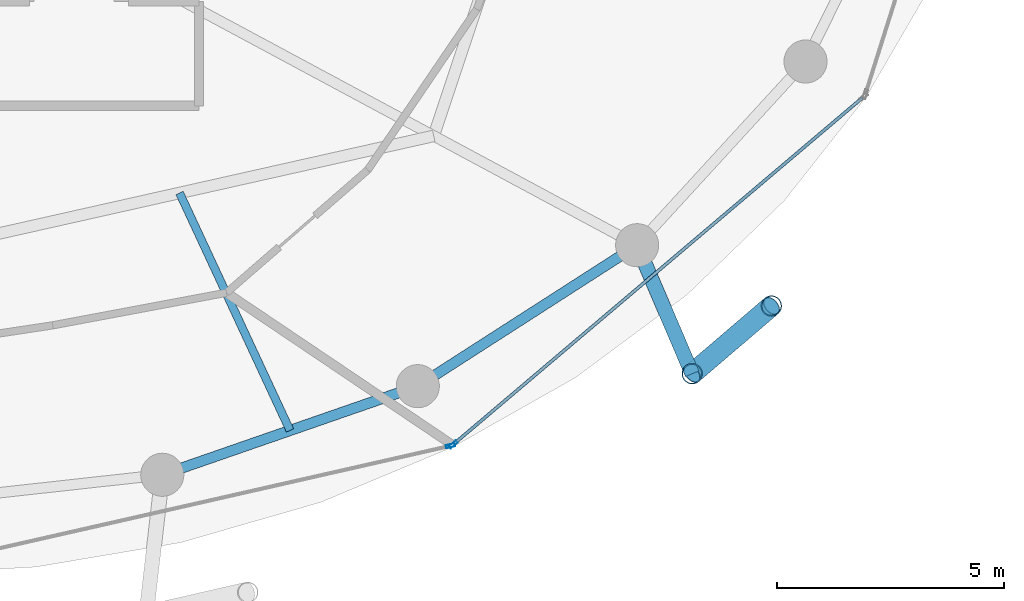
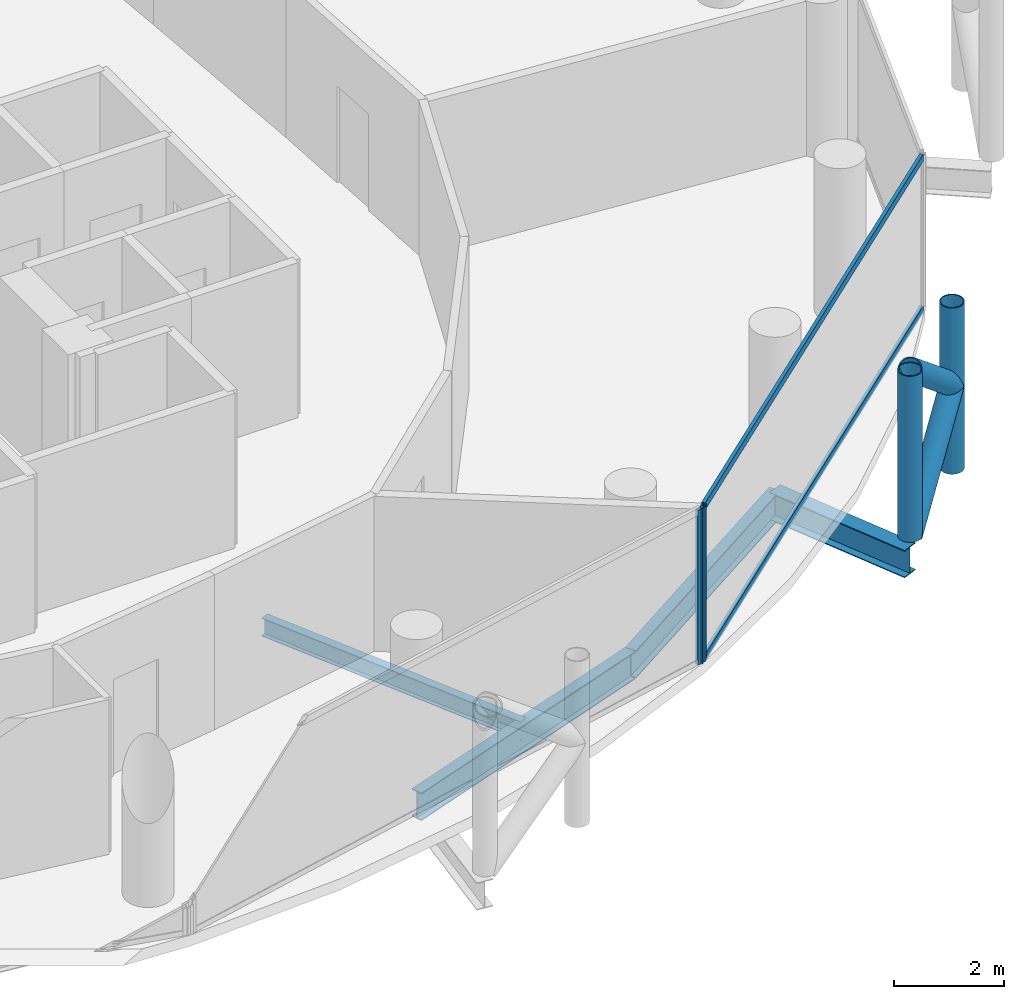
# One storey, part 8 of 26: 8 members, 4 beams, 2 elements without a shape of their own.
"""IFC4 building model written with IfcOpenShell, lengths in metres."""

from ifc_helpers import new_model, si_unit, direction, frame, origin, origin_2d, place, context, subcontext, project, spatial, hollow_rectangle, hollow_circle, i_section, extrude, material, layer, layer_set, material_profile, profile_set, type_object, element, aggregate, save


model = new_model("IFC4")

# Units and contexts
model_context = context("Model", 3, precision=1e-05, world=origin(), true_north=direction((0.0, 1.0)))
body_context = subcontext(model_context, "Body", "Model", "MODEL_VIEW")
ifc_project = project(units=[si_unit("LENGTHUNIT", "METRE"), si_unit("AREAUNIT", "SQUARE_METRE"), si_unit("VOLUMEUNIT", "CUBIC_METRE"), si_unit("PLANEANGLEUNIT", "RADIAN"), si_unit("MASSUNIT", "GRAM", prefix="KILO")], contexts=[model_context])

# Site, building, storey
site_placement = place(None, origin())
site = spatial("IfcSite", under=ifc_project, at=site_placement, CompositionType="ELEMENT")
building_placement = place(site_placement, origin())
building = spatial("IfcBuilding", under=site, at=building_placement, Name="Nuhasar Tower", CompositionType="ELEMENT")
storey_placement = place(building_placement, frame((0.0, 0.0, 162.64990234375)))
storey = spatial("IfcBuildingStorey", under=building, at=storey_placement, Name="L39", CompositionType="ELEMENT", Elevation=162.64990234375)

# Beams
ifc_material_1 = material(Name="Steel S355", Category="steel")
ifc_material_profile_1 = material_profile(ifc_material_1, i_section(OverallWidth=0.177978515625, OverallDepth=0.406005859375, WebThickness=0.0078125, FlangeThickness=0.0126953125, at=origin_2d()), Name="W16X40")
ifc_profile_set_1 = profile_set([ifc_material_profile_1], Name="Steel S355")
beam_type_1 = type_object("IfcBeamType", Name="BM-JST-W16X40", PredefinedType="JOIST", material=ifc_profile_set_1)
beam_1_placement = place(storey_placement, frame((45.424072265625, 14.1279296875, -0.452880859375), z_axis=(0.421729941201, -0.906721487941, 0.0), x_axis=(0.906721487941, 0.421729941201, 0.0)))
element("IfcBeam", 1, at=beam_1_placement, inside=storey, type_object=beam_type_1, Name="L39 Secondary Floor Joist 02", PredefinedType="JOIST", context=body_context, shape_type="SweptSolid", body=[
    extrude(i_section(OverallWidth=0.177978515625, OverallDepth=0.406005859375, WebThickness=0.0078125, FlangeThickness=0.0126953125, at=origin_2d()), origin(), (0.0, 0.0, 1.0), 5.7734375),
])
ifc_material_profile_2 = material_profile(ifc_material_1, i_section(OverallWidth=0.22998046875, OverallDepth=0.616943359375, WebThickness=0.01318359375, FlangeThickness=0.022216796875, at=origin_2d()), Name="W24X94")
ifc_profile_set_2 = profile_set([ifc_material_profile_2], Name="Steel S355")
beam_type_2 = type_object("IfcBeamType", Name="BM-RING-W24X94", PredefinedType="SPANDREL", material=ifc_profile_set_2)
beam_2_placement = place(storey_placement, frame((45.04296875, 7.916015625, -0.558837890625), z_axis=(0.944814057608, 0.327607076458, 0.0), x_axis=(-0.327607076458, 0.944814057608, 0.0)))
element("IfcBeam", 2, at=beam_2_placement, inside=storey, type_object=beam_type_2, Name="L39 Perimeter Ring Spandrel 20", PredefinedType="SPANDREL", context=body_context, shape_type="SweptSolid", body=[
    extrude(i_section(OverallWidth=0.22998046875, OverallDepth=0.616943359375, WebThickness=0.01318359375, FlangeThickness=0.022216796875, at=origin_2d()), origin(), (0.0, 0.0, 1.0), 5.9609375),
])
beam_3_placement = place(storey_placement, frame((50.675048828125, 9.868896484375, -0.558837890625), z_axis=(0.841308170616, 0.540555789955, 0.0), x_axis=(-0.540555789955, 0.841308170616, 0.0)))
element("IfcBeam", 3, at=beam_3_placement, inside=storey, type_object=beam_type_2, Name="L39 Perimeter Ring Spandrel 21", PredefinedType="SPANDREL", context=body_context, shape_type="SweptSolid", body=[
    extrude(i_section(OverallWidth=0.22998046875, OverallDepth=0.616943359375, WebThickness=0.01318359375, FlangeThickness=0.022216796875, at=origin_2d()), origin(), (0.0, 0.0, 1.0), 5.748046875),
])
ifc_material_profile_3 = material_profile(ifc_material_1, i_section(OverallWidth=0.323974609375, OverallDepth=0.611083984375, WebThickness=0.0126953125, FlangeThickness=0.01904296875, at=origin_2d()), Name="W24X104")
ifc_profile_set_3 = profile_set([ifc_material_profile_3], Name="Steel S355")
beam_type_3 = type_object("IfcBeamType", Name="BM-TIE-W24X104", PredefinedType="BEAM", material=ifc_profile_set_3)
beam_4_placement = place(storey_placement, frame((55.510986328125, 12.97607421875, -0.554931640625), z_axis=(0.39330721304, -0.919407111225, 0.0), x_axis=(0.919407111225, 0.39330721304, 0.0)))
element("IfcBeam", 4, at=beam_4_placement, inside=storey, type_object=beam_type_3, Name="L39 Exoskeleton Node Tie Beam 11", PredefinedType="BEAM", context=body_context, shape_type="SweptSolid", body=[
    extrude(i_section(OverallWidth=0.323974609375, OverallDepth=0.611083984375, WebThickness=0.0126953125, FlangeThickness=0.01904296875, at=origin_2d()), origin(), (0.0, 0.0, 1.0), 3.081298828125),
])

# Curtain wall, member
ifc_material_2 = material(Name="Aluminium 6063-T6", Category="aluminium")
ifc_layer = layer(ifc_material_2, 0.199951171875)
ifc_layer_set = layer_set([ifc_layer], Name="Aluminium 6063-T6")
curtain_wall_type = type_object("IfcCurtainWallType", Name="CW-Z2-HTL", PredefinedType="NOTDEFINED", material=ifc_layer_set)
curtain_wall_1_placement = place(storey_placement, origin())
curtain_wall_1 = element("IfcCurtainWall", 5, at=curtain_wall_1_placement, inside=storey, type_object=curtain_wall_type, Name="L39 Unitised Curtain Wall 10", PredefinedType="NOTDEFINED")
ifc_material_profile_4 = material_profile(ifc_material_2, hollow_rectangle(XDim=0.070068359375, YDim=0.199951171875, WallThickness=0.0048828125, at=origin_2d()), Name="CWM-3")
ifc_profile_set_4 = profile_set([ifc_material_profile_4], Name="Aluminium 6063-T6")
member_type_1 = type_object("IfcMemberType", Name="CW-MUL-S3", PredefinedType="MULLION", material=ifc_profile_set_4)
member_1_placement = place(storey_placement, frame((51.395751953125, 8.55419921875, 0.0), z_axis=(0.0, 0.0, 1.0), x_axis=(-0.22139729566, 0.975183694221, 0.0)))
member_1 = element("IfcMember", 6, at=member_1_placement, type_object=member_type_1, Name="CW-Z2 mullion 2", PredefinedType="MULLION", context=body_context, shape_type="SweptSolid", body=[
    extrude(hollow_rectangle(XDim=0.070068359375, YDim=0.199951171875, WallThickness=0.0048828125, at=origin_2d()), origin(), (0.0, 0.0, 1.0), 3.4501953125),
])
aggregate(curtain_wall_1, [member_1])

# Curtain wall, members
curtain_wall_2_placement = place(storey_placement, origin())
curtain_wall_2 = element("IfcCurtainWall", 7, at=curtain_wall_2_placement, inside=storey, type_object=curtain_wall_type, Name="L39 Unitised Curtain Wall 11", PredefinedType="NOTDEFINED")
member_2_placement = place(storey_placement, frame((51.456787109375, 8.584716796875, 0.0), z_axis=(0.0, 0.0, 1.0), x_axis=(-0.646374438324, 0.763020370292, 0.0)))
member_2 = element("IfcMember", 8, at=member_2_placement, type_object=member_type_1, Name="CW-Z2 mullion 1", PredefinedType="MULLION", context=body_context, shape_type="SweptSolid", body=[
    extrude(hollow_rectangle(XDim=0.070068359375, YDim=0.199951171875, WallThickness=0.0048828125, at=origin_2d()), origin(), (0.0, 0.0, 1.0), 3.4501953125),
])
ifc_material_profile_5 = material_profile(ifc_material_2, hollow_rectangle(XDim=0.070068359375, YDim=0.159912109375, WallThickness=0.00439453125, at=origin_2d()), Name="CWT-3")
ifc_profile_set_5 = profile_set([ifc_material_profile_5], Name="Aluminium 6063-T6")
member_type_2 = type_object("IfcMemberType", Name="CW-TRN-S3", PredefinedType="USERDEFINED", material=ifc_profile_set_5)
member_3_placement = place(storey_placement, frame((51.4833984375, 8.607177734375, 0.03515625), z_axis=(0.763013698099, 0.646382314511, 0.0), x_axis=(-0.646382314511, 0.763013698099, 0.0)))
member_3 = element("IfcMember", 9, at=member_3_placement, type_object=member_type_2, Name="CW-Z2 transom 1.1", ObjectType="TRANSOM", PredefinedType="USERDEFINED", context=body_context, shape_type="SweptSolid", body=[
    extrude(hollow_rectangle(XDim=0.070068359375, YDim=0.159912109375, WallThickness=0.00439453125, at=origin_2d()), origin(), (0.0, 0.0, 1.0), 11.78515625),
])
member_4_placement = place(storey_placement, frame((51.4833984375, 8.607177734375, 3.4150390625), z_axis=(0.763013698099, 0.646382314511, 0.0), x_axis=(-0.646382314511, 0.763013698099, 0.0)))
member_4 = element("IfcMember", 10, at=member_4_placement, type_object=member_type_2, Name="CW-Z2 transom 1.2", ObjectType="TRANSOM", PredefinedType="USERDEFINED", context=body_context, shape_type="SweptSolid", body=[
    extrude(hollow_rectangle(XDim=0.070068359375, YDim=0.159912109375, WallThickness=0.00439453125, at=origin_2d()), origin(), (0.0, 0.0, 1.0), 11.78515625),
])
aggregate(curtain_wall_2, [member_2, member_3, member_4])

# Members
ifc_material_3 = material(Name="Steel S460", Category="steel")
ifc_material_profile_6 = material_profile(ifc_material_3, hollow_circle(Radius=0.228515625, WallThickness=0.022216796875, at=origin_2d()), Name="HSS457X22.2")
ifc_profile_set_6 = profile_set([ifc_material_profile_6], Name="Steel S460")
member_type_3 = type_object("IfcMemberType", Name="EXO-BRONZE-457", PredefinedType="BRACE", material=ifc_profile_set_6)
for number, where, z_axis, x_axis, name in (
    (11, (56.722900390625, 10.14306640625, 0.0), (0.0, 0.0, 1.0), (1.0, 0.0, 0.0), "L39 Exoskeleton Chord Column EC-11A"),
    (12, (58.470947265625, 11.637939453125, 0.0), (0.0, 0.0, 1.0), (1.0, 0.0, 0.0), "L39 Exoskeleton Chord Column EC-11B"),
):
    element("IfcMember", number, at=place(storey_placement, frame(where, z_axis=z_axis, x_axis=x_axis)), inside=storey, type_object=member_type_3, Name=name, PredefinedType="BRACE", context=body_context, shape_type="SweptSolid", body=[
        extrude(hollow_circle(Radius=0.228515625, WallThickness=0.022216796875, at=origin_2d()), origin(), (0.0, 0.0, 1.0), 3.7001953125),
    ])
for number, where, z_axis, x_axis, name in (
    (13, (56.722900390625, 10.14306640625, 0.0), (0.592195175458, 0.506426125604, 0.626767463634), (-0.649925557156, 0.7599978751, 0.0), "L39 Bronze Diagrid Brace W1-11"),
    (14, (58.470947265625, 11.637939453125, 1.85009765625), (-0.592195175458, -0.506426125604, 0.626767463634), (0.649925557156, -0.7599978751, 0.0), "L39 Bronze Diagrid Brace W2-11"),
):
    element("IfcMember", number, at=place(storey_placement, frame(where, z_axis=z_axis, x_axis=x_axis)), inside=storey, type_object=member_type_3, Name=name, PredefinedType="BRACE", context=body_context, shape_type="SweptSolid", body=[
        extrude(hollow_circle(Radius=0.228515625, WallThickness=0.022216796875, at=origin_2d()), origin(), (0.0, 0.0, 1.0), 2.951904296875),
    ])

save(model, "model.ifc")
